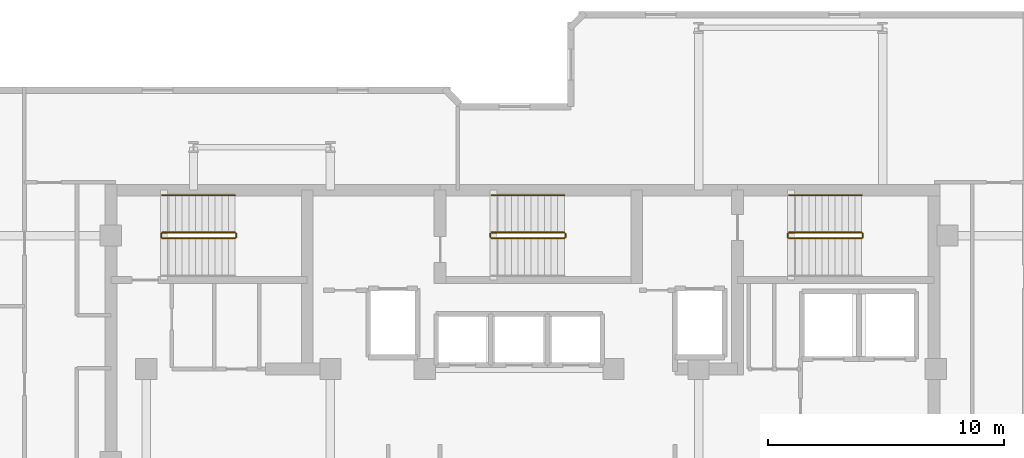
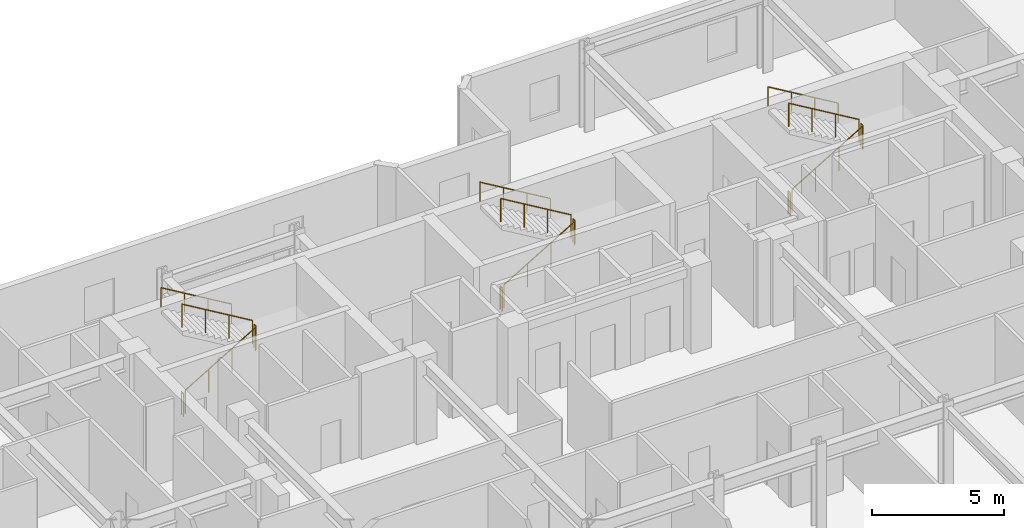
# One storey, part 10 of 10: 15 railings.
"""IFC4 building model written with IfcOpenShell, lengths in metres."""

from ifc_helpers import new_model, si_unit, direction, frame, origin, origin_2d, place, context, subcontext, project, spatial, circle, extrude, material, type_object, element, save


model = new_model("IFC4")

# Units and contexts
model_context = context("Model", 3, precision=1e-05, world=origin(), true_north=direction((0.0, 1.0)))
body_context = subcontext(model_context, "Body", "Model", "MODEL_VIEW")
ifc_project = project(units=[si_unit("LENGTHUNIT", "METRE"), si_unit("AREAUNIT", "SQUARE_METRE"), si_unit("VOLUMEUNIT", "CUBIC_METRE"), si_unit("PLANEANGLEUNIT", "RADIAN"), si_unit("MASSUNIT", "GRAM", prefix="KILO")], contexts=[model_context])

# Site, building, storey
site_placement = place(None, origin())
site = spatial("IfcSite", under=ifc_project, at=site_placement, CompositionType="ELEMENT")
building_placement = place(site_placement, origin())
building = spatial("IfcBuilding", under=site, at=building_placement, Name="Kestravale Grand Hotel", CompositionType="ELEMENT")
storey_placement = place(building_placement, frame((0.0, 0.0, 273.39990234375)))
storey = spatial("IfcBuildingStorey", under=building, at=storey_placement, Name="L68", CompositionType="ELEMENT", Elevation=273.39990234375)

# Railings
ifc_material_1 = material(Name="Painted tubular steel stair well guard", Category="steel")
railing_type_1 = type_object("IfcRailingType", Name="RL-ST-GRD1100", PredefinedType="GUARDRAIL", material=ifc_material_1)
railing_1_placement = place(storey_placement, frame((24.080078125, 38.280029296875, 0.166748046875)))
element("IfcRailing", 1, at=railing_1_placement, inside=storey, type_object=railing_type_1, Name="L68 ST-1 stair guard 1", PredefinedType="GUARDRAIL", context=body_context, shape_type="SweptSolid", body=[
    extrude(circle(Radius=0.02392578125, at=origin_2d()), frame((0.0, 0.0, 1.076171875), z_axis=(0.859290745958, 0.0, 0.51148745235), x_axis=(0.0, 1.0, 0.0)), (0.0, 0.0, 1.0), 3.584228515625),
    extrude(circle(Radius=0.02099609375, at=origin_2d()), origin(), (0.0, 0.0, 1.0), 1.052001953125),
    extrude(circle(Radius=0.02099609375, at=origin_2d()), frame((1.026611328125, 0.0, 0.611083984375)), (0.0, 0.0, 1.0), 1.052001953125),
    extrude(circle(Radius=0.02099609375, at=origin_2d()), frame((2.05322265625, 0.0, 1.22216796875)), (0.0, 0.0, 1.0), 1.052001953125),
    extrude(circle(Radius=0.02099609375, at=origin_2d()), frame((3.079833984375, 0.0, 1.833251953125)), (0.0, 0.0, 1.0), 1.052001953125),
])
railing_2_placement = place(storey_placement, frame((27.2099609375, 38.330078125, 2.0)))
element("IfcRailing", 2, at=railing_2_placement, inside=storey, type_object=railing_type_1, Name="L68 ST-1 stair guard 2", PredefinedType="GUARDRAIL", context=body_context, shape_type="SweptSolid", body=[
    extrude(circle(Radius=0.02392578125, at=origin_2d()), frame((0.0, 0.0, 1.076171875), z_axis=(0.0, 1.0, 0.0), x_axis=(-1.0, 0.0, 0.0)), (0.0, 0.0, 1.0), 0.14990234375),
    extrude(circle(Radius=0.02099609375, at=origin_2d()), origin(), (0.0, 0.0, 1.0), 1.052001953125),
    extrude(circle(Radius=0.02099609375, at=origin_2d()), frame((0.0, 0.14990234375, 0.0)), (0.0, 0.0, 1.0), 1.052001953125),
])
railing_3_placement = place(storey_placement, frame((27.159912109375, 38.530029296875, 2.166748046875)))
element("IfcRailing", 3, at=railing_3_placement, inside=storey, type_object=railing_type_1, Name="L68 ST-1 stair guard 3", PredefinedType="GUARDRAIL", context=body_context, shape_type="SweptSolid", body=[
    extrude(circle(Radius=0.02392578125, at=origin_2d()), frame((0.0, 0.0, 1.076171875), z_axis=(-0.859290745958, 0.0, 0.51148745235), x_axis=(0.0, -1.0, 0.0)), (0.0, 0.0, 1.0), 3.584228515625),
    extrude(circle(Radius=0.02099609375, at=origin_2d()), origin(), (0.0, 0.0, 1.0), 1.052001953125),
    extrude(circle(Radius=0.02099609375, at=origin_2d()), frame((-1.026611328125, 0.0, 0.611083984375)), (0.0, 0.0, 1.0), 1.052001953125),
    extrude(circle(Radius=0.02099609375, at=origin_2d()), frame((-2.05322265625, 0.0, 1.22216796875)), (0.0, 0.0, 1.0), 1.052001953125),
    extrude(circle(Radius=0.02099609375, at=origin_2d()), frame((-3.079833984375, 0.0, 1.833251953125)), (0.0, 0.0, 1.0), 1.052001953125),
])
railing_4_placement = place(storey_placement, frame((24.030029296875, 38.330078125, 0.0)))
element("IfcRailing", 4, at=railing_4_placement, inside=storey, type_object=railing_type_1, Name="L68 ST-1 stair guard 4", PredefinedType="GUARDRAIL", context=body_context, shape_type="SweptSolid", body=[
    extrude(circle(Radius=0.02392578125, at=origin_2d()), frame((0.0, 0.0, 1.076171875), z_axis=(0.0, 1.0, 0.0), x_axis=(-1.0, 0.0, 0.0)), (0.0, 0.0, 1.0), 0.14990234375),
    extrude(circle(Radius=0.02099609375, at=origin_2d()), origin(), (0.0, 0.0, 1.0), 1.052001953125),
    extrude(circle(Radius=0.02099609375, at=origin_2d()), frame((0.0, 0.14990234375, 0.0)), (0.0, 0.0, 1.0), 1.052001953125),
])
railing_5_placement = place(storey_placement, frame((38.030029296875, 38.280029296875, 0.166748046875)))
element("IfcRailing", 5, at=railing_5_placement, inside=storey, type_object=railing_type_1, Name="L68 ST-2 stair guard 1", PredefinedType="GUARDRAIL", context=body_context, shape_type="SweptSolid", body=[
    extrude(circle(Radius=0.02392578125, at=origin_2d()), frame((0.0, 0.0, 1.076171875), z_axis=(0.859308565015, 0.0, 0.511457515432), x_axis=(0.0, 1.0, 0.0)), (0.0, 0.0, 1.0), 3.58447265625),
    extrude(circle(Radius=0.02099609375, at=origin_2d()), origin(), (0.0, 0.0, 1.0), 1.052001953125),
    extrude(circle(Radius=0.02099609375, at=origin_2d()), frame((1.026611328125, 0.0, 0.611083984375)), (0.0, 0.0, 1.0), 1.052001953125),
    extrude(circle(Radius=0.02099609375, at=origin_2d()), frame((2.053466796875, 0.0, 1.22216796875)), (0.0, 0.0, 1.0), 1.052001953125),
    extrude(circle(Radius=0.02099609375, at=origin_2d()), frame((3.080078125, 0.0, 1.833251953125)), (0.0, 0.0, 1.0), 1.052001953125),
])
railing_6_placement = place(storey_placement, frame((41.159912109375, 38.330078125, 2.0)))
element("IfcRailing", 6, at=railing_6_placement, inside=storey, type_object=railing_type_1, Name="L68 ST-2 stair guard 2", PredefinedType="GUARDRAIL", context=body_context, shape_type="SweptSolid", body=[
    extrude(circle(Radius=0.02392578125, at=origin_2d()), frame((0.0, 0.0, 1.076171875), z_axis=(0.0, 1.0, 0.0), x_axis=(-1.0, 0.0, 0.0)), (0.0, 0.0, 1.0), 0.14990234375),
    extrude(circle(Radius=0.02099609375, at=origin_2d()), origin(), (0.0, 0.0, 1.0), 1.052001953125),
    extrude(circle(Radius=0.02099609375, at=origin_2d()), frame((0.0, 0.14990234375, 0.0)), (0.0, 0.0, 1.0), 1.052001953125),
])
railing_7_placement = place(storey_placement, frame((41.110107421875, 38.530029296875, 2.166748046875)))
element("IfcRailing", 7, at=railing_7_placement, inside=storey, type_object=railing_type_1, Name="L68 ST-2 stair guard 3", PredefinedType="GUARDRAIL", context=body_context, shape_type="SweptSolid", body=[
    extrude(circle(Radius=0.02392578125, at=origin_2d()), frame((0.0, 0.0, 1.076171875), z_axis=(-0.859308565015, 0.0, 0.511457515432), x_axis=(0.0, -1.0, 0.0)), (0.0, 0.0, 1.0), 3.58447265625),
    extrude(circle(Radius=0.02099609375, at=origin_2d()), origin(), (0.0, 0.0, 1.0), 1.052001953125),
    extrude(circle(Radius=0.02099609375, at=origin_2d()), frame((-1.026611328125, 0.0, 0.611083984375)), (0.0, 0.0, 1.0), 1.052001953125),
    extrude(circle(Radius=0.02099609375, at=origin_2d()), frame((-2.053466796875, 0.0, 1.22216796875)), (0.0, 0.0, 1.0), 1.052001953125),
    extrude(circle(Radius=0.02099609375, at=origin_2d()), frame((-3.080078125, 0.0, 1.833251953125)), (0.0, 0.0, 1.0), 1.052001953125),
])
railing_8_placement = place(storey_placement, frame((37.97998046875, 38.330078125, 0.0)))
element("IfcRailing", 8, at=railing_8_placement, inside=storey, type_object=railing_type_1, Name="L68 ST-2 stair guard 4", PredefinedType="GUARDRAIL", context=body_context, shape_type="SweptSolid", body=[
    extrude(circle(Radius=0.02392578125, at=origin_2d()), frame((0.0, 0.0, 1.076171875), z_axis=(0.0, 1.0, 0.0), x_axis=(-1.0, 0.0, 0.0)), (0.0, 0.0, 1.0), 0.14990234375),
    extrude(circle(Radius=0.02099609375, at=origin_2d()), origin(), (0.0, 0.0, 1.0), 1.052001953125),
    extrude(circle(Radius=0.02099609375, at=origin_2d()), frame((0.0, 0.14990234375, 0.0)), (0.0, 0.0, 1.0), 1.052001953125),
])
railing_9_placement = place(storey_placement, frame((50.6298828125, 38.280029296875, 0.166748046875)))
element("IfcRailing", 9, at=railing_9_placement, inside=storey, type_object=railing_type_1, Name="L68 ST-3 stair guard 1", PredefinedType="GUARDRAIL", context=body_context, shape_type="SweptSolid", body=[
    extrude(circle(Radius=0.02392578125, at=origin_2d()), frame((0.0, 0.0, 1.076171875), z_axis=(0.859308565015, 0.0, 0.511457515432), x_axis=(0.0, 1.0, 0.0)), (0.0, 0.0, 1.0), 3.58447265625),
    extrude(circle(Radius=0.02099609375, at=origin_2d()), origin(), (0.0, 0.0, 1.0), 1.052001953125),
    extrude(circle(Radius=0.02099609375, at=origin_2d()), frame((1.026611328125, 0.0, 0.611083984375)), (0.0, 0.0, 1.0), 1.052001953125),
    extrude(circle(Radius=0.02099609375, at=origin_2d()), frame((2.053466796875, 0.0, 1.22216796875)), (0.0, 0.0, 1.0), 1.052001953125),
    extrude(circle(Radius=0.02099609375, at=origin_2d()), frame((3.080078125, 0.0, 1.833251953125)), (0.0, 0.0, 1.0), 1.052001953125),
])
railing_10_placement = place(storey_placement, frame((53.760009765625, 38.330078125, 2.0)))
element("IfcRailing", 10, at=railing_10_placement, inside=storey, type_object=railing_type_1, Name="L68 ST-3 stair guard 2", PredefinedType="GUARDRAIL", context=body_context, shape_type="SweptSolid", body=[
    extrude(circle(Radius=0.02392578125, at=origin_2d()), frame((0.0, 0.0, 1.076171875), z_axis=(0.0, 1.0, 0.0), x_axis=(-1.0, 0.0, 0.0)), (0.0, 0.0, 1.0), 0.14990234375),
    extrude(circle(Radius=0.02099609375, at=origin_2d()), origin(), (0.0, 0.0, 1.0), 1.052001953125),
    extrude(circle(Radius=0.02099609375, at=origin_2d()), frame((0.0, 0.14990234375, 0.0)), (0.0, 0.0, 1.0), 1.052001953125),
])
railing_11_placement = place(storey_placement, frame((53.7099609375, 38.530029296875, 2.166748046875)))
element("IfcRailing", 11, at=railing_11_placement, inside=storey, type_object=railing_type_1, Name="L68 ST-3 stair guard 3", PredefinedType="GUARDRAIL", context=body_context, shape_type="SweptSolid", body=[
    extrude(circle(Radius=0.02392578125, at=origin_2d()), frame((0.0, 0.0, 1.076171875), z_axis=(-0.859308565015, 0.0, 0.511457515432), x_axis=(0.0, -1.0, 0.0)), (0.0, 0.0, 1.0), 3.58447265625),
    extrude(circle(Radius=0.02099609375, at=origin_2d()), origin(), (0.0, 0.0, 1.0), 1.052001953125),
    extrude(circle(Radius=0.02099609375, at=origin_2d()), frame((-1.026611328125, 0.0, 0.611083984375)), (0.0, 0.0, 1.0), 1.052001953125),
    extrude(circle(Radius=0.02099609375, at=origin_2d()), frame((-2.053466796875, 0.0, 1.22216796875)), (0.0, 0.0, 1.0), 1.052001953125),
    extrude(circle(Radius=0.02099609375, at=origin_2d()), frame((-3.080078125, 0.0, 1.833251953125)), (0.0, 0.0, 1.0), 1.052001953125),
])
railing_12_placement = place(storey_placement, frame((50.580078125, 38.330078125, 0.0)))
element("IfcRailing", 12, at=railing_12_placement, inside=storey, type_object=railing_type_1, Name="L68 ST-3 stair guard 4", PredefinedType="GUARDRAIL", context=body_context, shape_type="SweptSolid", body=[
    extrude(circle(Radius=0.02392578125, at=origin_2d()), frame((0.0, 0.0, 1.076171875), z_axis=(0.0, 1.0, 0.0), x_axis=(-1.0, 0.0, 0.0)), (0.0, 0.0, 1.0), 0.14990234375),
    extrude(circle(Radius=0.02099609375, at=origin_2d()), origin(), (0.0, 0.0, 1.0), 1.052001953125),
    extrude(circle(Radius=0.02099609375, at=origin_2d()), frame((0.0, 0.14990234375, 0.0)), (0.0, 0.0, 1.0), 1.052001953125),
])
ifc_material_2 = material(Name="Brushed stainless steel wall handrail", Category="steel")
railing_type_2 = type_object("IfcRailingType", Name="RL-ST-HND900", PredefinedType="HANDRAIL", material=ifc_material_2)
railing_13_placement = place(storey_placement, frame((27.159912109375, 40.110107421875, 2.166748046875)))
element("IfcRailing", 13, at=railing_13_placement, inside=storey, type_object=railing_type_2, Name="L68 ST-1 stair handrail 2", PredefinedType="HANDRAIL", context=body_context, shape_type="SweptSolid", body=[
    extrude(circle(Radius=0.02392578125, at=origin_2d()), frame((0.0, 0.0, 0.8759765625), z_axis=(-0.859290745958, 0.0, 0.51148745235), x_axis=(0.0, -1.0, 0.0)), (0.0, 0.0, 1.0), 3.584228515625),
    extrude(circle(Radius=0.02099609375, at=origin_2d()), origin(), (0.0, 0.0, 1.0), 0.851806640625),
    extrude(circle(Radius=0.02099609375, at=origin_2d()), frame((-1.026611328125, 0.0, 0.611083984375)), (0.0, 0.0, 1.0), 0.851806640625),
    extrude(circle(Radius=0.02099609375, at=origin_2d()), frame((-2.05322265625, 0.0, 1.22216796875)), (0.0, 0.0, 1.0), 0.851806640625),
    extrude(circle(Radius=0.02099609375, at=origin_2d()), frame((-3.079833984375, 0.0, 1.833251953125)), (0.0, 0.0, 1.0), 0.851806640625),
])
for number, where, name in (
    (14, (41.110107421875, 40.110107421875, 2.166748046875), "L68 ST-2 stair handrail 2"),
    (15, (53.7099609375, 40.110107421875, 2.166748046875), "L68 ST-3 stair handrail 2"),
):
    element("IfcRailing", number, at=place(storey_placement, frame(where)), inside=storey, type_object=railing_type_2, Name=name, PredefinedType="HANDRAIL", context=body_context, shape_type="SweptSolid", body=[
        extrude(circle(Radius=0.02392578125, at=origin_2d()), frame((0.0, 0.0, 0.8759765625), z_axis=(-0.859308565015, 0.0, 0.511457515432), x_axis=(0.0, -1.0, 0.0)), (0.0, 0.0, 1.0), 3.58447265625),
        extrude(circle(Radius=0.02099609375, at=origin_2d()), origin(), (0.0, 0.0, 1.0), 0.851806640625),
        extrude(circle(Radius=0.02099609375, at=origin_2d()), frame((-1.026611328125, 0.0, 0.611083984375)), (0.0, 0.0, 1.0), 0.851806640625),
        extrude(circle(Radius=0.02099609375, at=origin_2d()), frame((-2.053466796875, 0.0, 1.22216796875)), (0.0, 0.0, 1.0), 0.851806640625),
        extrude(circle(Radius=0.02099609375, at=origin_2d()), frame((-3.080078125, 0.0, 1.833251953125)), (0.0, 0.0, 1.0), 0.851806640625),
    ])

save(model, "model.ifc")
